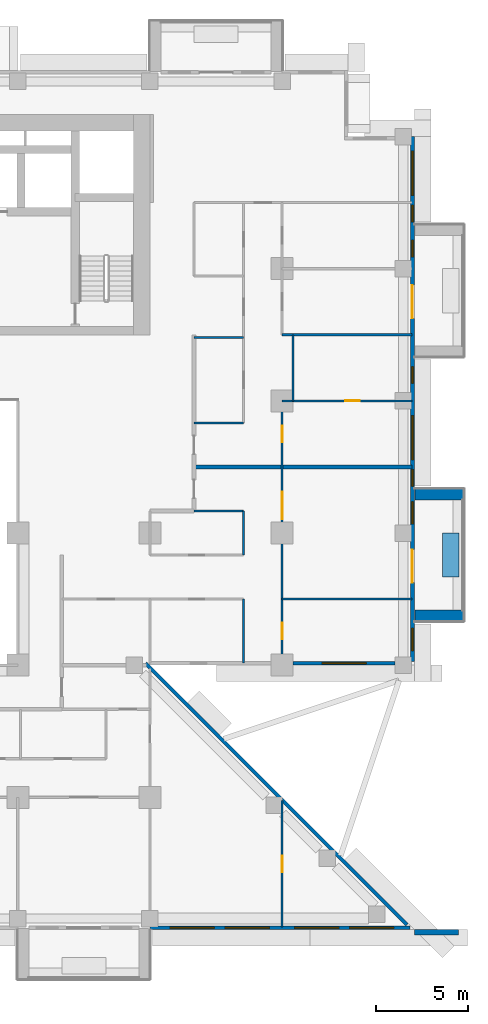
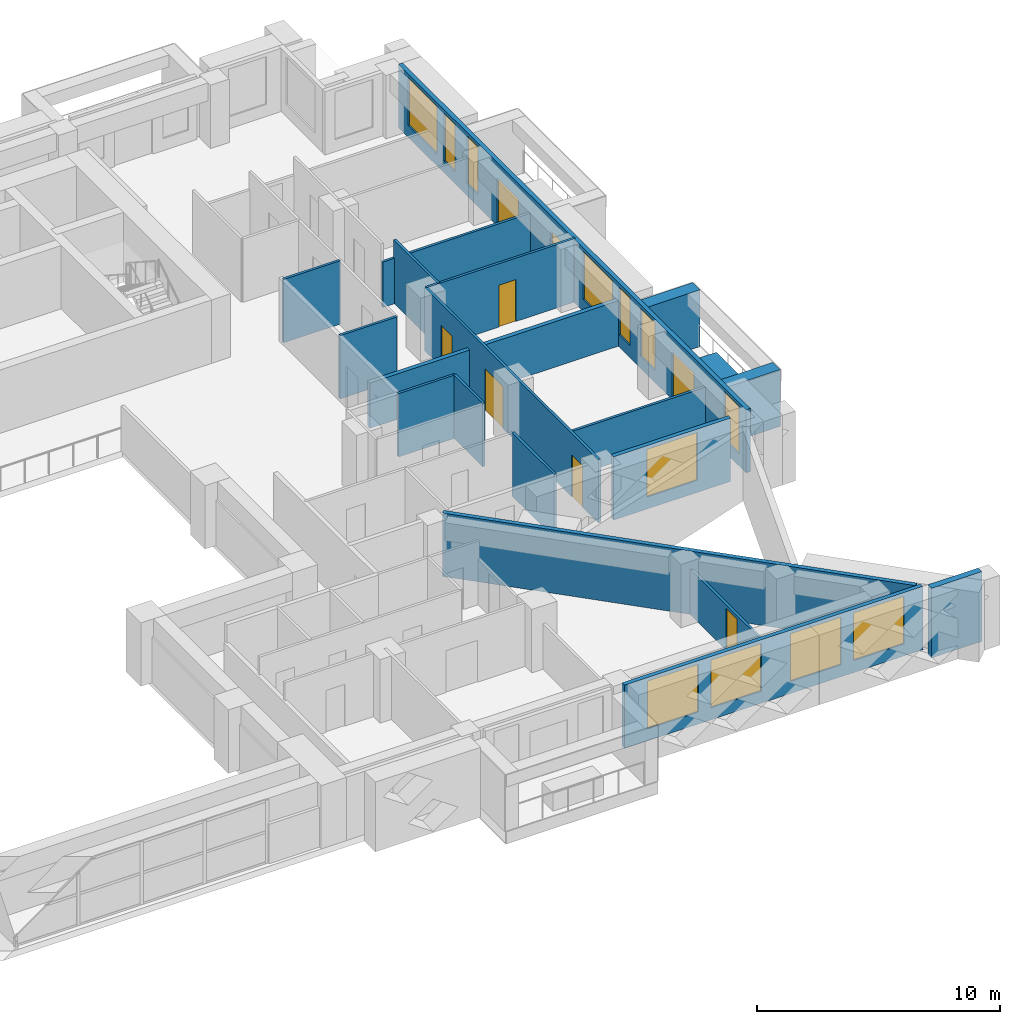
# One storey, part 12 of 17: 20 walls, 13 windows, 7 doors, 20 openings.
"""IFC4 building model written with IfcOpenShell, lengths in metres."""

from ifc_helpers import new_model, si_unit, direction, frame, frame_2d, origin, place, context, subcontext, project, spatial, rectangle, extrude, material, layer, layer_set, type_object, element, fill, save


model = new_model("IFC4")

# Units and contexts
model_context = context("Model", 3, precision=1e-05, world=origin(), true_north=direction((0.0, 1.0)))
body_context = subcontext(model_context, "Body", "Model", "MODEL_VIEW")
ifc_project = project(units=[si_unit("LENGTHUNIT", "METRE"), si_unit("AREAUNIT", "SQUARE_METRE"), si_unit("VOLUMEUNIT", "CUBIC_METRE"), si_unit("PLANEANGLEUNIT", "RADIAN"), si_unit("MASSUNIT", "GRAM", prefix="KILO")], contexts=[model_context])

# Site, building, storey
site_placement = place(None, origin())
site = spatial("IfcSite", under=ifc_project, at=site_placement, CompositionType="ELEMENT")
building_placement = place(site_placement, origin())
building = spatial("IfcBuilding", under=site, at=building_placement, Name="Saffron Iwan Residences", CompositionType="ELEMENT")
storey_placement = place(building_placement, frame((0.0, 0.0, 93.5)))
storey = spatial("IfcBuildingStorey", under=building, at=storey_placement, Name="L24", CompositionType="ELEMENT", Elevation=93.5)

# Walls
ifc_material_1 = material(Name="Concrete C50/60 white painted", Category="concrete")
ifc_layer_1 = layer(ifc_material_1, 0.60009765625)
ifc_layer_set_1 = layer_set([ifc_layer_1], Name="Concrete C50/60 white painted")
wall_type_1 = type_object("IfcWallType", Name="BALCONY FIN 600", PredefinedType="SOLIDWALL", material=ifc_layer_set_1)
for number, where, z_axis, x_axis, name in (
    (1, (86.449951171875, 50.699951171875, 0.0), (0.0, 0.0, 1.0), (1.0, 0.0, 0.0), "Balcony fin L24 F2-0a"),
    (2, (86.449951171875, 57.300048828125, 0.0), (0.0, 0.0, 1.0), (1.0, 0.0, 0.0), "Balcony fin L24 F2-0b"),
):
    element("IfcWall", number, at=place(storey_placement, frame(where, z_axis=z_axis, x_axis=x_axis)), inside=storey, type_object=wall_type_1, Name=name, PredefinedType="SOLIDWALL", context=body_context, shape_type="SweptSolid", body=[
        extrude(rectangle(XDim=2.650146484375, YDim=0.60009765625, at=frame_2d((1.3251953125, 0.0))), origin(), (0.0, 0.0, 1.0), 2.85009765625),
    ])
ifc_material_2 = material(Name="Concrete C35/45 white painted", Category="concrete")
ifc_layer_2 = layer(ifc_material_2, 0.14990234375)
ifc_layer_set_2 = layer_set([ifc_layer_2], Name="Concrete C35/45 white painted")
wall_type_2 = type_object("IfcWallType", Name="BALCONY PLANTER", PredefinedType="SOLIDWALL", material=ifc_layer_set_2)
wall_1_placement = place(storey_placement, frame((88.375, 52.800048828125, 0.0), z_axis=(0.0, 0.0, 1.0), x_axis=(0.0, 1.0, 0.0)))
element("IfcWall", 3, at=wall_1_placement, inside=storey, type_object=wall_type_2, Name="PLANTER L24 F2-0", PredefinedType="SOLIDWALL", context=body_context, shape_type="SweptSolid", body=[
    extrude(rectangle(XDim=2.39990234375, YDim=0.89990234375, at=frame_2d((1.199951171875, 0.0))), origin(), (0.0, 0.0, 1.0), 0.89990234375),
])
ifc_material_3 = material(Name="Concrete C40/50", Category="concrete")
ifc_layer_3 = layer(ifc_material_3, 0.199951171875)
ifc_layer_set_3 = layer_set([ifc_layer_3], Name="Concrete C40/50")
wall_type_3 = type_object("IfcWallType", Name="EXTERNAL WALL 200", PredefinedType="SOLIDWALL", material=ifc_layer_set_3)
wall_2_placement = place(storey_placement, frame((85.995849609375, 33.862548828125, 0.0), z_axis=(0.0, 0.0, 1.0), x_axis=(-0.707100718496, 0.707112843825, 0.0)))
element("IfcWall", 4, at=wall_2_placement, inside=storey, type_object=wall_type_3, Name="External wall L24 F0.0", PredefinedType="SOLIDWALL", context=body_context, shape_type="SweptSolid", body=[
    extrude(rectangle(XDim=20.134765625, YDim=0.199951171875, at=frame_2d((10.0673828125, 0.0))), origin(), (0.0, 0.0, 1.0), 3.179931640625),
])

# Wall, opening, window
wall_3_placement = place(storey_placement, frame((79.800048828125, 48.10009765625, 0.0), z_axis=(0.0, 0.0, 1.0), x_axis=(1.0, 0.0, 0.0)))
wall_3 = element("IfcWall", 5, at=wall_3_placement, inside=storey, type_object=wall_type_3, Name="External wall L24 F1.1", PredefinedType="SOLIDWALL", context=body_context, shape_type="SweptSolid", body=[
    extrude(rectangle(XDim=5.550048828125, YDim=0.199951171875, at=frame_2d((2.77490234375, 0.0))), origin(), (0.0, 0.0, 1.0), 3.179931640625),
])
opening_1_placement = place(wall_3_placement, frame((1.574951171875, 0.0, 0.60009765625)))
opening_1 = element("IfcOpeningElement", 6, at=opening_1_placement, cuts=wall_3, Name="Opening W1", PredefinedType="OPENING", context=body_context, shape_type="SweptSolid", body=[
    extrude(rectangle(XDim=2.39990234375, YDim=2.39990234375, at=frame_2d((1.199951171875, 1.199951171875))), frame((0.0, 0.10986328125, 0.0), z_axis=(0.0, -1.0, 0.0), x_axis=(1.0, 0.0, 0.0)), (0.0, 0.0, 1.0), 0.219970703125),
])
ifc_material_4 = material(Name="Clear glass, laminated double glazed", Category="glass")
window_type_1 = type_object("IfcWindowType", Name="WINDOW 2400 x 2400", PartitioningType="DOUBLE_PANEL_VERTICAL", PredefinedType="WINDOW", material=ifc_material_4)
window_1_placement = place(opening_1_placement, origin())
window_1 = element("IfcWindow", 7, at=window_1_placement, inside=storey, type_object=window_type_1, Name="Window L24 F1.0", OverallHeight=2.39990234375, OverallWidth=2.39990234375, PartitioningType="DOUBLE_PANEL_VERTICAL", PredefinedType="WINDOW", context=body_context, shape_type="SweptSolid", body=[
    extrude(rectangle(XDim=2.39990234375, YDim=2.39990234375, at=frame_2d((1.199951171875, 1.199951171875))), frame((0.0, 0.030029296875, 0.0), z_axis=(0.0, -1.0, 0.0), x_axis=(1.0, 0.0, 0.0)), (0.0, 0.0, 1.0), 0.06005859375),
])
fill(opening_1, window_1)

# Wall, openings, doors, windows
wall_4_placement = place(storey_placement, frame((86.300048828125, 48.199951171875, 0.0), z_axis=(0.0, 0.0, 1.0), x_axis=(0.0, 1.0, 0.0)))
wall_4 = element("IfcWall", 8, at=wall_4_placement, inside=storey, type_object=wall_type_3, Name="External wall L24 F2.0", PredefinedType="SOLIDWALL", context=body_context, shape_type="SweptSolid", body=[
    extrude(rectangle(XDim=28.60009765625, YDim=0.199951171875, at=frame_2d((14.300048828125, 0.0))), origin(), (0.0, 0.0, 1.0), 3.179931640625),
])
opening_2_placement = place(wall_4_placement, frame((4.300048828125, 0.0, 0.0)))
opening_2 = element("IfcOpeningElement", 9, at=opening_2_placement, cuts=wall_4, Name="Opening BD1", PredefinedType="OPENING", context=body_context, shape_type="SweptSolid", body=[
    extrude(rectangle(XDim=1.800048828125, YDim=2.39990234375, at=frame_2d((0.89990234375, 1.199951171875))), frame((0.0, 0.10986328125, 0.0), z_axis=(0.0, -1.0, 0.0), x_axis=(1.0, 0.0, 0.0)), (0.0, 0.0, 1.0), 0.219970703125),
])
opening_3_placement = place(wall_4_placement, frame((18.699951171875, 0.0, 0.0)))
opening_3 = element("IfcOpeningElement", 10, at=opening_3_placement, cuts=wall_4, Name="Opening BD1", PredefinedType="OPENING", context=body_context, shape_type="SweptSolid", body=[
    extrude(rectangle(XDim=1.800048828125, YDim=2.39990234375, at=frame_2d((0.89990234375, 1.199951171875))), frame((0.0, 0.10986328125, 0.0), z_axis=(0.0, -1.0, 0.0), x_axis=(1.0, 0.0, 0.0)), (0.0, 0.0, 1.0), 0.219970703125),
])
opening_4_placement = place(wall_4_placement, frame((0.60009765625, 0.0, 0.60009765625)))
opening_4 = element("IfcOpeningElement", 11, at=opening_4_placement, cuts=wall_4, Name="Opening W3", PredefinedType="OPENING", context=body_context, shape_type="SweptSolid", body=[
    extrude(rectangle(XDim=1.199951171875, YDim=2.39990234375, at=frame_2d((0.60009765625, 1.199951171875))), frame((0.0, 0.10986328125, 0.0), z_axis=(0.0, -1.0, 0.0), x_axis=(1.0, 0.0, 0.0)), (0.0, 0.0, 1.0), 0.219970703125),
])
opening_5_placement = place(wall_4_placement, frame((7.5, 0.0, 0.60009765625)))
opening_5 = element("IfcOpeningElement", 12, at=opening_5_placement, cuts=wall_4, Name="Opening W3", PredefinedType="OPENING", context=body_context, shape_type="SweptSolid", body=[
    extrude(rectangle(XDim=1.199951171875, YDim=2.39990234375, at=frame_2d((0.60009765625, 1.199951171875))), frame((0.0, 0.10986328125, 0.0), z_axis=(0.0, -1.0, 0.0), x_axis=(1.0, 0.0, 0.0)), (0.0, 0.0, 1.0), 0.219970703125),
])
opening_6_placement = place(wall_4_placement, frame((9.550048828125, 0.0, 0.60009765625)))
opening_6 = element("IfcOpeningElement", 13, at=opening_6_placement, cuts=wall_4, Name="Opening W10", PredefinedType="OPENING", context=body_context, shape_type="SweptSolid", body=[
    extrude(rectangle(XDim=0.89990234375, YDim=2.39990234375, at=frame_2d((0.449951171875, 1.199951171875))), frame((0.0, 0.10986328125, 0.0), z_axis=(0.0, -1.0, 0.0), x_axis=(1.0, 0.0, 0.0)), (0.0, 0.0, 1.0), 0.219970703125),
])
opening_7_placement = place(wall_4_placement, frame((11.0, 0.0, 0.60009765625)))
opening_7 = element("IfcOpeningElement", 14, at=opening_7_placement, cuts=wall_4, Name="Opening W1", PredefinedType="OPENING", context=body_context, shape_type="SweptSolid", body=[
    extrude(rectangle(XDim=2.39990234375, YDim=2.39990234375, at=frame_2d((1.199951171875, 1.199951171875))), frame((0.0, 0.10986328125, 0.0), z_axis=(0.0, -1.0, 0.0), x_axis=(1.0, 0.0, 0.0)), (0.0, 0.0, 1.0), 0.219970703125),
])
opening_8_placement = place(wall_4_placement, frame((15.14990234375, 0.0, 1.5)))
opening_8 = element("IfcOpeningElement", 15, at=opening_8_placement, cuts=wall_4, Name="Opening W6", PredefinedType="OPENING", context=body_context, shape_type="SweptSolid", body=[
    extrude(rectangle(XDim=0.89990234375, YDim=0.89990234375, at=frame_2d((0.449951171875, 0.449951171875))), frame((0.0, 0.10986328125, 0.0), z_axis=(0.0, -1.0, 0.0), x_axis=(1.0, 0.0, 0.0)), (0.0, 0.0, 1.0), 0.219970703125),
])
opening_9_placement = place(wall_4_placement, frame((22.050048828125, 0.0, 0.60009765625)))
opening_9 = element("IfcOpeningElement", 16, at=opening_9_placement, cuts=wall_4, Name="Opening W10", PredefinedType="OPENING", context=body_context, shape_type="SweptSolid", body=[
    extrude(rectangle(XDim=0.89990234375, YDim=2.39990234375, at=frame_2d((0.449951171875, 1.199951171875))), frame((0.0, 0.10986328125, 0.0), z_axis=(0.0, -1.0, 0.0), x_axis=(1.0, 0.0, 0.0)), (0.0, 0.0, 1.0), 0.219970703125),
])
opening_10_placement = place(wall_4_placement, frame((23.949951171875, 0.0, 0.60009765625)))
opening_10 = element("IfcOpeningElement", 17, at=opening_10_placement, cuts=wall_4, Name="Opening W10", PredefinedType="OPENING", context=body_context, shape_type="SweptSolid", body=[
    extrude(rectangle(XDim=0.89990234375, YDim=2.39990234375, at=frame_2d((0.449951171875, 1.199951171875))), frame((0.0, 0.10986328125, 0.0), z_axis=(0.0, -1.0, 0.0), x_axis=(1.0, 0.0, 0.0)), (0.0, 0.0, 1.0), 0.219970703125),
])
opening_11_placement = place(wall_4_placement, frame((25.39990234375, 0.0, 0.60009765625)))
opening_11 = element("IfcOpeningElement", 18, at=opening_11_placement, cuts=wall_4, Name="Opening W1", PredefinedType="OPENING", context=body_context, shape_type="SweptSolid", body=[
    extrude(rectangle(XDim=2.39990234375, YDim=2.39990234375, at=frame_2d((1.199951171875, 1.199951171875))), frame((0.0, 0.10986328125, 0.0), z_axis=(0.0, -1.0, 0.0), x_axis=(1.0, 0.0, 0.0)), (0.0, 0.0, 1.0), 0.219970703125),
])
door_type_1 = type_object("IfcDoorType", Name="BALCONY DOOR 1800 x 2400", OperationType="DOUBLE_DOOR_SLIDING", PredefinedType="DOOR", material=ifc_material_4)
door_1_placement = place(opening_2_placement, origin())
door_1 = element("IfcDoor", 19, at=door_1_placement, inside=storey, type_object=door_type_1, Name="Balcony door L24 F2.0", OperationType="DOUBLE_DOOR_SLIDING", OverallHeight=2.39990234375, OverallWidth=1.800048828125, PredefinedType="DOOR", context=body_context, shape_type="SweptSolid", body=[
    extrude(rectangle(XDim=1.800048828125, YDim=2.39990234375, at=frame_2d((0.89990234375, 1.199951171875))), frame((0.0, 0.02490234375, 0.0), z_axis=(0.0, -1.0, 0.0), x_axis=(1.0, 0.0, 0.0)), (0.0, 0.0, 1.0), 0.050048828125),
])
fill(opening_2, door_1)
door_2_placement = place(opening_3_placement, origin())
door_2 = element("IfcDoor", 20, at=door_2_placement, inside=storey, type_object=door_type_1, Name="Balcony door L24 F2.1", OperationType="DOUBLE_DOOR_SLIDING", OverallHeight=2.39990234375, OverallWidth=1.800048828125, PredefinedType="DOOR", context=body_context, shape_type="SweptSolid", body=[
    extrude(rectangle(XDim=1.800048828125, YDim=2.39990234375, at=frame_2d((0.89990234375, 1.199951171875))), frame((0.0, 0.02490234375, 0.0), z_axis=(0.0, -1.0, 0.0), x_axis=(1.0, 0.0, 0.0)), (0.0, 0.0, 1.0), 0.050048828125),
])
fill(opening_3, door_2)
window_type_2 = type_object("IfcWindowType", Name="WINDOW 1200 x 2400", PartitioningType="SINGLE_PANEL", PredefinedType="WINDOW", material=ifc_material_4)
window_2_placement = place(opening_4_placement, origin())
window_2 = element("IfcWindow", 21, at=window_2_placement, inside=storey, type_object=window_type_2, Name="Window L24 F2.2", OverallHeight=2.39990234375, OverallWidth=1.199951171875, PartitioningType="SINGLE_PANEL", PredefinedType="WINDOW", context=body_context, shape_type="SweptSolid", body=[
    extrude(rectangle(XDim=1.199951171875, YDim=2.39990234375, at=frame_2d((0.60009765625, 1.199951171875))), frame((0.0, 0.030029296875, 0.0), z_axis=(0.0, -1.0, 0.0), x_axis=(1.0, 0.0, 0.0)), (0.0, 0.0, 1.0), 0.06005859375),
])
fill(opening_4, window_2)
window_3_placement = place(opening_5_placement, origin())
window_3 = element("IfcWindow", 22, at=window_3_placement, inside=storey, type_object=window_type_2, Name="Window L24 F2.3", OverallHeight=2.39990234375, OverallWidth=1.199951171875, PartitioningType="SINGLE_PANEL", PredefinedType="WINDOW", context=body_context, shape_type="SweptSolid", body=[
    extrude(rectangle(XDim=1.199951171875, YDim=2.39990234375, at=frame_2d((0.60009765625, 1.199951171875))), frame((0.0, 0.030029296875, 0.0), z_axis=(0.0, -1.0, 0.0), x_axis=(1.0, 0.0, 0.0)), (0.0, 0.0, 1.0), 0.06005859375),
])
fill(opening_5, window_3)
window_4_placement = place(opening_7_placement, origin())
window_4 = element("IfcWindow", 23, at=window_4_placement, inside=storey, type_object=window_type_1, Name="Window L24 F2.5", OverallHeight=2.39990234375, OverallWidth=2.39990234375, PartitioningType="DOUBLE_PANEL_VERTICAL", PredefinedType="WINDOW", context=body_context, shape_type="SweptSolid", body=[
    extrude(rectangle(XDim=2.39990234375, YDim=2.39990234375, at=frame_2d((1.199951171875, 1.199951171875))), frame((0.0, 0.030029296875, 0.0), z_axis=(0.0, -1.0, 0.0), x_axis=(1.0, 0.0, 0.0)), (0.0, 0.0, 1.0), 0.06005859375),
])
fill(opening_7, window_4)
window_5_placement = place(opening_11_placement, origin())
window_5 = element("IfcWindow", 24, at=window_5_placement, inside=storey, type_object=window_type_1, Name="Window L24 F2.9", OverallHeight=2.39990234375, OverallWidth=2.39990234375, PartitioningType="DOUBLE_PANEL_VERTICAL", PredefinedType="WINDOW", context=body_context, shape_type="SweptSolid", body=[
    extrude(rectangle(XDim=2.39990234375, YDim=2.39990234375, at=frame_2d((1.199951171875, 1.199951171875))), frame((0.0, 0.030029296875, 0.0), z_axis=(0.0, -1.0, 0.0), x_axis=(1.0, 0.0, 0.0)), (0.0, 0.0, 1.0), 0.06005859375),
])
fill(opening_11, window_5)
window_type_3 = type_object("IfcWindowType", Name="WINDOW 900 x 2400", PartitioningType="SINGLE_PANEL", PredefinedType="WINDOW", material=ifc_material_4)
window_6_placement = place(opening_6_placement, origin())
window_6 = element("IfcWindow", 25, at=window_6_placement, inside=storey, type_object=window_type_3, Name="Window L24 F2.4", OverallHeight=2.39990234375, OverallWidth=0.89990234375, PartitioningType="SINGLE_PANEL", PredefinedType="WINDOW", context=body_context, shape_type="SweptSolid", body=[
    extrude(rectangle(XDim=0.89990234375, YDim=2.39990234375, at=frame_2d((0.449951171875, 1.199951171875))), frame((0.0, 0.030029296875, 0.0), z_axis=(0.0, -1.0, 0.0), x_axis=(1.0, 0.0, 0.0)), (0.0, 0.0, 1.0), 0.06005859375),
])
fill(opening_6, window_6)
window_7_placement = place(opening_9_placement, origin())
window_7 = element("IfcWindow", 26, at=window_7_placement, inside=storey, type_object=window_type_3, Name="Window L24 F2.7", OverallHeight=2.39990234375, OverallWidth=0.89990234375, PartitioningType="SINGLE_PANEL", PredefinedType="WINDOW", context=body_context, shape_type="SweptSolid", body=[
    extrude(rectangle(XDim=0.89990234375, YDim=2.39990234375, at=frame_2d((0.449951171875, 1.199951171875))), frame((0.0, 0.030029296875, 0.0), z_axis=(0.0, -1.0, 0.0), x_axis=(1.0, 0.0, 0.0)), (0.0, 0.0, 1.0), 0.06005859375),
])
fill(opening_9, window_7)
window_8_placement = place(opening_10_placement, origin())
window_8 = element("IfcWindow", 27, at=window_8_placement, inside=storey, type_object=window_type_3, Name="Window L24 F2.8", OverallHeight=2.39990234375, OverallWidth=0.89990234375, PartitioningType="SINGLE_PANEL", PredefinedType="WINDOW", context=body_context, shape_type="SweptSolid", body=[
    extrude(rectangle(XDim=0.89990234375, YDim=2.39990234375, at=frame_2d((0.449951171875, 1.199951171875))), frame((0.0, 0.030029296875, 0.0), z_axis=(0.0, -1.0, 0.0), x_axis=(1.0, 0.0, 0.0)), (0.0, 0.0, 1.0), 0.06005859375),
])
fill(opening_10, window_8)
window_type_4 = type_object("IfcWindowType", Name="WINDOW 900 x 900 BATH", PartitioningType="SINGLE_PANEL", PredefinedType="WINDOW", material=ifc_material_4)
window_9_placement = place(opening_8_placement, origin())
window_9 = element("IfcWindow", 28, at=window_9_placement, inside=storey, type_object=window_type_4, Name="Window L24 F2.6", OverallHeight=0.89990234375, OverallWidth=0.89990234375, PartitioningType="SINGLE_PANEL", PredefinedType="WINDOW", context=body_context, shape_type="SweptSolid", body=[
    extrude(rectangle(XDim=0.89990234375, YDim=0.89990234375, at=frame_2d((0.449951171875, 0.449951171875))), frame((0.0, 0.030029296875, 0.0), z_axis=(0.0, -1.0, 0.0), x_axis=(1.0, 0.0, 0.0)), (0.0, 0.0, 1.0), 0.06005859375),
])
fill(opening_8, window_9)

# Wall, openings, windows
wall_5_placement = place(storey_placement, frame((72.0, 33.699951171875, 0.0), z_axis=(0.0, 0.0, 1.0), x_axis=(1.0, 0.0, 0.0)))
wall_5 = element("IfcWall", 29, at=wall_5_placement, inside=storey, type_object=wall_type_3, Name="External wall L24 F11.5", PredefinedType="SOLIDWALL", context=body_context, shape_type="SweptSolid", body=[
    extrude(rectangle(XDim=14.15869140625, YDim=0.199951171875, at=frame_2d((7.079345703125, 0.0))), origin(), (0.0, 0.0, 1.0), 3.179931640625),
])
opening_12_placement = place(wall_5_placement, frame((1.10009765625, 0.0, 0.60009765625)))
opening_12 = element("IfcOpeningElement", 30, at=opening_12_placement, cuts=wall_5, Name="Opening W1", PredefinedType="OPENING", context=body_context, shape_type="SweptSolid", body=[
    extrude(rectangle(XDim=2.39990234375, YDim=2.39990234375, at=frame_2d((1.199951171875, 1.199951171875))), frame((0.0, 0.10986328125, 0.0), z_axis=(0.0, -1.0, 0.0), x_axis=(1.0, 0.0, 0.0)), (0.0, 0.0, 1.0), 0.219970703125),
])
opening_13_placement = place(wall_5_placement, frame((4.10009765625, 0.0, 0.60009765625)))
opening_13 = element("IfcOpeningElement", 31, at=opening_13_placement, cuts=wall_5, Name="Opening W1", PredefinedType="OPENING", context=body_context, shape_type="SweptSolid", body=[
    extrude(rectangle(XDim=2.39990234375, YDim=2.39990234375, at=frame_2d((1.199951171875, 1.199951171875))), frame((0.0, 0.10986328125, 0.0), z_axis=(0.0, -1.0, 0.0), x_axis=(1.0, 0.0, 0.0)), (0.0, 0.0, 1.0), 0.219970703125),
])
opening_14_placement = place(wall_5_placement, frame((7.88623046875, 0.0, 0.60009765625)))
opening_14 = element("IfcOpeningElement", 32, at=opening_14_placement, cuts=wall_5, Name="Opening W1", PredefinedType="OPENING", context=body_context, shape_type="SweptSolid", body=[
    extrude(rectangle(XDim=2.39990234375, YDim=2.39990234375, at=frame_2d((1.199951171875, 1.199951171875))), frame((0.0, 0.10986328125, 0.0), z_axis=(0.0, -1.0, 0.0), x_axis=(1.0, 0.0, 0.0)), (0.0, 0.0, 1.0), 0.219970703125),
])
opening_15_placement = place(wall_5_placement, frame((10.872314453125, 0.0, 0.60009765625)))
opening_15 = element("IfcOpeningElement", 33, at=opening_15_placement, cuts=wall_5, Name="Opening W1", PredefinedType="OPENING", context=body_context, shape_type="SweptSolid", body=[
    extrude(rectangle(XDim=2.39990234375, YDim=2.39990234375, at=frame_2d((1.199951171875, 1.199951171875))), frame((0.0, 0.10986328125, 0.0), z_axis=(0.0, -1.0, 0.0), x_axis=(1.0, 0.0, 0.0)), (0.0, 0.0, 1.0), 0.219970703125),
])
window_10_placement = place(opening_12_placement, origin())
window_10 = element("IfcWindow", 34, at=window_10_placement, inside=storey, type_object=window_type_1, Name="Window L24 F11.0", OverallHeight=2.39990234375, OverallWidth=2.39990234375, PartitioningType="DOUBLE_PANEL_VERTICAL", PredefinedType="WINDOW", context=body_context, shape_type="SweptSolid", body=[
    extrude(rectangle(XDim=2.39990234375, YDim=2.39990234375, at=frame_2d((1.199951171875, 1.199951171875))), frame((0.0, 0.030029296875, 0.0), z_axis=(0.0, -1.0, 0.0), x_axis=(1.0, 0.0, 0.0)), (0.0, 0.0, 1.0), 0.06005859375),
])
fill(opening_12, window_10)
window_11_placement = place(opening_13_placement, origin())
window_11 = element("IfcWindow", 35, at=window_11_placement, inside=storey, type_object=window_type_1, Name="Window L24 F11.1", OverallHeight=2.39990234375, OverallWidth=2.39990234375, PartitioningType="DOUBLE_PANEL_VERTICAL", PredefinedType="WINDOW", context=body_context, shape_type="SweptSolid", body=[
    extrude(rectangle(XDim=2.39990234375, YDim=2.39990234375, at=frame_2d((1.199951171875, 1.199951171875))), frame((0.0, 0.030029296875, 0.0), z_axis=(0.0, -1.0, 0.0), x_axis=(1.0, 0.0, 0.0)), (0.0, 0.0, 1.0), 0.06005859375),
])
fill(opening_13, window_11)
window_12_placement = place(opening_14_placement, origin())
window_12 = element("IfcWindow", 36, at=window_12_placement, inside=storey, type_object=window_type_1, Name="Window L24 F11.2", OverallHeight=2.39990234375, OverallWidth=2.39990234375, PartitioningType="DOUBLE_PANEL_VERTICAL", PredefinedType="WINDOW", context=body_context, shape_type="SweptSolid", body=[
    extrude(rectangle(XDim=2.39990234375, YDim=2.39990234375, at=frame_2d((1.199951171875, 1.199951171875))), frame((0.0, 0.030029296875, 0.0), z_axis=(0.0, -1.0, 0.0), x_axis=(1.0, 0.0, 0.0)), (0.0, 0.0, 1.0), 0.06005859375),
])
fill(opening_14, window_12)
window_13_placement = place(opening_15_placement, origin())
window_13 = element("IfcWindow", 37, at=window_13_placement, inside=storey, type_object=window_type_1, Name="Window L24 F11.3", OverallHeight=2.39990234375, OverallWidth=2.39990234375, PartitioningType="DOUBLE_PANEL_VERTICAL", PredefinedType="WINDOW", context=body_context, shape_type="SweptSolid", body=[
    extrude(rectangle(XDim=2.39990234375, YDim=2.39990234375, at=frame_2d((1.199951171875, 1.199951171875))), frame((0.0, 0.030029296875, 0.0), z_axis=(0.0, -1.0, 0.0), x_axis=(1.0, 0.0, 0.0)), (0.0, 0.0, 1.0), 0.06005859375),
])
fill(opening_15, window_13)

# Walls
ifc_material_5 = material(Name="Fire-rated gypsum board wall")
ifc_layer_4 = layer(ifc_material_5, 0.199951171875)
ifc_layer_set_4 = layer_set([ifc_layer_4], Name="Fire-rated gypsum board wall")
wall_type_4 = type_object("IfcWallType", Name="Flat demising wall 200", PredefinedType="SOLIDWALL", material=ifc_layer_set_4)
wall_6_placement = place(storey_placement, frame((74.39990234375, 58.800048828125, 0.0), z_axis=(0.0, 0.0, 1.0), x_axis=(1.0, 0.0, 0.0)))
element("IfcWall", 38, at=wall_6_placement, inside=storey, type_object=wall_type_4, Name="W-L24-DEMISE-h58.8-74.4", PredefinedType="SOLIDWALL", context=body_context, shape_type="SweptSolid", body=[
    extrude(rectangle(XDim=11.875, YDim=0.199951171875, at=frame_2d((5.9375, 0.0))), origin(), (0.0, 0.0, 1.0), 2.280029296875),
])
ifc_material_6 = material(Name="Gypsum board partition")
ifc_layer_5 = layer(ifc_material_6, 0.1201171875)
ifc_layer_set_5 = layer_set([ifc_layer_5], Name="Gypsum board partition")
wall_type_5 = type_object("IfcWallType", Name="Flat partition 120", PredefinedType="PARTITIONING", material=ifc_layer_set_5)
wall_7_placement = place(storey_placement, frame((79.199951171875, 51.60009765625, 0.0), z_axis=(0.0, 0.0, 1.0), x_axis=(1.0, 0.0, 0.0)))
element("IfcWall", 39, at=wall_7_placement, inside=storey, type_object=wall_type_5, Name="W-L24-PART-h51.6-79.2", PredefinedType="PARTITIONING", context=body_context, shape_type="SweptSolid", body=[
    extrude(rectangle(XDim=7.074951171875, YDim=0.1201171875, at=frame_2d((3.53759765625, 0.0))), origin(), (0.0, 0.0, 1.0), 2.280029296875),
])
for number, where, z_axis, x_axis, name in (
    (40, (74.39990234375, 56.39990234375, 0.0), (0.0, 0.0, 1.0), (1.0, 0.0, 0.0), "W-L24-PART-h56.4-74.4"),
    (41, (74.39990234375, 61.199951171875, 0.0), (0.0, 0.0, 1.0), (1.0, 0.0, 0.0), "W-L24-PART-h61.2-74.4"),
):
    element("IfcWall", number, at=place(storey_placement, frame(where, z_axis=z_axis, x_axis=x_axis)), inside=storey, type_object=wall_type_5, Name=name, PredefinedType="PARTITIONING", context=body_context, shape_type="SweptSolid", body=[
        extrude(rectangle(XDim=2.7001953125, YDim=0.1201171875, at=frame_2d((1.35009765625, 0.0))), origin(), (0.0, 0.0, 1.0), 3.179931640625),
    ])

# Wall, opening, door
wall_8_placement = place(storey_placement, frame((79.199951171875, 62.39990234375, 0.0), z_axis=(0.0, 0.0, 1.0), x_axis=(1.0, 0.0, 0.0)))
wall_8 = element("IfcWall", 42, at=wall_8_placement, inside=storey, type_object=wall_type_5, Name="W-L24-PART-h62.4-79.2", PredefinedType="PARTITIONING", context=body_context, shape_type="SweptSolid", body=[
    extrude(rectangle(XDim=7.074951171875, YDim=0.1201171875, at=frame_2d((3.53759765625, 0.0))), origin(), (0.0, 0.0, 1.0), 3.179931640625),
])
opening_16_placement = place(wall_8_placement, frame((3.4375, 0.0, 0.0)))
opening_16 = element("IfcOpeningElement", 43, at=opening_16_placement, cuts=wall_8, Name="Opening FD3", PredefinedType="OPENING", context=body_context, shape_type="SweptSolid", body=[
    extrude(rectangle(XDim=0.800048828125, YDim=2.10009765625, at=frame_2d((0.39990234375, 1.050048828125))), frame((0.0, 0.070068359375, 0.0), z_axis=(0.0, -1.0, 0.0), x_axis=(1.0, 0.0, 0.0)), (0.0, 0.0, 1.0), 0.14013671875),
])
ifc_material_7 = material(Name="Timber door", Category="wood")
door_type_2 = type_object("IfcDoorType", Name="Bathroom door 800", OperationType="NOTDEFINED", PredefinedType="DOOR", material=ifc_material_7)
door_3_placement = place(opening_16_placement, origin())
door_3 = element("IfcDoor", 44, at=door_3_placement, inside=storey, type_object=door_type_2, Name="Door L24-037", OperationType="SINGLE_SWING_RIGHT", OverallHeight=2.10009765625, OverallWidth=0.800048828125, PredefinedType="DOOR", context=body_context, shape_type="SweptSolid", body=[
    extrude(rectangle(XDim=0.800048828125, YDim=2.10009765625, at=frame_2d((0.39990234375, 1.050048828125))), frame((0.0, 0.02490234375, 0.0), z_axis=(0.0, -1.0, 0.0), x_axis=(1.0, 0.0, 0.0)), (0.0, 0.0, 1.0), 0.050048828125),
])
fill(opening_16, door_3)

# Walls
wall_9_placement = place(storey_placement, frame((74.39990234375, 65.85009765625, 0.0), z_axis=(0.0, 0.0, 1.0), x_axis=(1.0, 0.0, 0.0)))
element("IfcWall", 45, at=wall_9_placement, inside=storey, type_object=wall_type_5, Name="W-L24-PART-h65.85-74.4", PredefinedType="PARTITIONING", context=body_context, shape_type="SweptSolid", body=[
    extrude(rectangle(XDim=2.7001953125, YDim=0.1201171875, at=frame_2d((1.35009765625, 0.0))), origin(), (0.0, 0.0, 1.0), 3.179931640625),
])
wall_10_placement = place(storey_placement, frame((79.199951171875, 66.0, 0.0), z_axis=(0.0, 0.0, 1.0), x_axis=(1.0, 0.0, 0.0)))
element("IfcWall", 46, at=wall_10_placement, inside=storey, type_object=wall_type_5, Name="W-L24-PART-h66-79.2", PredefinedType="PARTITIONING", context=body_context, shape_type="SweptSolid", body=[
    extrude(rectangle(XDim=7.074951171875, YDim=0.1201171875, at=frame_2d((3.53759765625, 0.0))), origin(), (0.0, 0.0, 1.0), 2.280029296875),
])
wall_11_placement = place(storey_placement, frame((77.10009765625, 48.125, 0.0), z_axis=(0.0, 0.0, 1.0), x_axis=(0.0, 1.0, 0.0)))
element("IfcWall", 47, at=wall_11_placement, inside=storey, type_object=wall_type_5, Name="W-L24-PART-v77.1-48.125", PredefinedType="PARTITIONING", context=body_context, shape_type="SweptSolid", body=[
    extrude(rectangle(XDim=3.47509765625, YDim=0.1201171875, at=frame_2d((1.737548828125, 0.0))), origin(), (0.0, 0.0, 1.0), 3.179931640625),
])
wall_12_placement = place(storey_placement, frame((77.10009765625, 54.0, 0.0), z_axis=(0.0, 0.0, 1.0), x_axis=(0.0, 1.0, 0.0)))
element("IfcWall", 48, at=wall_12_placement, inside=storey, type_object=wall_type_5, Name="W-L24-PART-v77.1-54", PredefinedType="PARTITIONING", context=body_context, shape_type="SweptSolid", body=[
    extrude(rectangle(XDim=2.39990234375, YDim=0.1201171875, at=frame_2d((1.199951171875, 0.0))), origin(), (0.0, 0.0, 1.0), 3.179931640625),
])

# Wall, opening, door
wall_13_placement = place(storey_placement, frame((79.199951171875, 33.72509765625, 0.0), z_axis=(0.0, 0.0, 1.0), x_axis=(0.0, 1.0, 0.0)))
wall_13 = element("IfcWall", 49, at=wall_13_placement, inside=storey, type_object=wall_type_5, Name="W-L24-PART-v79.2-33.725", PredefinedType="PARTITIONING", context=body_context, shape_type="SweptSolid", body=[
    extrude(rectangle(XDim=6.89794921875, YDim=0.1201171875, at=frame_2d((3.448974609375, 0.0))), origin(), (0.0, 0.0, 1.0), 2.280029296875),
])
opening_17_placement = place(wall_13_placement, frame((2.9990234375, 0.0, 0.0)))
opening_17 = element("IfcOpeningElement", 50, at=opening_17_placement, cuts=wall_13, Name="Opening FD2", PredefinedType="OPENING", context=body_context, shape_type="SweptSolid", body=[
    extrude(rectangle(XDim=0.89990234375, YDim=2.10009765625, at=frame_2d((0.449951171875, 1.050048828125))), frame((0.0, 0.070068359375, 0.0), z_axis=(0.0, -1.0, 0.0), x_axis=(1.0, 0.0, 0.0)), (0.0, 0.0, 1.0), 0.14013671875),
])
door_type_3 = type_object("IfcDoorType", Name="Flat door 900", OperationType="NOTDEFINED", PredefinedType="DOOR", material=ifc_material_7)
door_4_placement = place(opening_17_placement, origin())
door_4 = element("IfcDoor", 51, at=door_4_placement, inside=storey, type_object=door_type_3, Name="Door L24-052", OperationType="SINGLE_SWING_RIGHT", OverallHeight=2.10009765625, OverallWidth=0.89990234375, PredefinedType="DOOR", context=body_context, shape_type="SweptSolid", body=[
    extrude(rectangle(XDim=0.89990234375, YDim=2.10009765625, at=frame_2d((0.449951171875, 1.050048828125))), frame((0.0, 0.02490234375, 0.0), z_axis=(0.0, -1.0, 0.0), x_axis=(1.0, 0.0, 0.0)), (0.0, 0.0, 1.0), 0.050048828125),
])
fill(opening_17, door_4)

# Wall, openings, doors
wall_14_placement = place(storey_placement, frame((79.199951171875, 48.125, 0.0), z_axis=(0.0, 0.0, 1.0), x_axis=(0.0, 1.0, 0.0)))
wall_14 = element("IfcWall", 52, at=wall_14_placement, inside=storey, type_object=wall_type_5, Name="W-L24-PART-v79.2-48.125", PredefinedType="PARTITIONING", context=body_context, shape_type="SweptSolid", body=[
    extrude(rectangle(XDim=14.27490234375, YDim=0.1201171875, at=frame_2d((7.137451171875, 0.0))), origin(), (0.0, 0.0, 1.0), 3.179931640625),
])
opening_18_placement = place(wall_14_placement, frame((1.28759765625, 0.0, 0.0)))
opening_18 = element("IfcOpeningElement", 53, at=opening_18_placement, cuts=wall_14, Name="Opening FD2", PredefinedType="OPENING", context=body_context, shape_type="SweptSolid", body=[
    extrude(rectangle(XDim=0.89990234375, YDim=2.10009765625, at=frame_2d((0.449951171875, 1.050048828125))), frame((0.0, 0.070068359375, 0.0), z_axis=(0.0, -1.0, 0.0), x_axis=(1.0, 0.0, 0.0)), (0.0, 0.0, 1.0), 0.14013671875),
])
opening_19_placement = place(wall_14_placement, frame((7.824951171875, 0.0, 0.0)))
opening_19 = element("IfcOpeningElement", 54, at=opening_19_placement, cuts=wall_14, Name="Opening FD4", PredefinedType="OPENING", context=body_context, shape_type="SweptSolid", body=[
    extrude(rectangle(XDim=1.5, YDim=2.10009765625, at=frame_2d((0.75, 1.050048828125))), frame((0.0, 0.070068359375, 0.0), z_axis=(0.0, -1.0, 0.0), x_axis=(1.0, 0.0, 0.0)), (0.0, 0.0, 1.0), 0.14013671875),
])
opening_20_placement = place(wall_14_placement, frame((12.02490234375, 0.0, 0.0)))
opening_20 = element("IfcOpeningElement", 55, at=opening_20_placement, cuts=wall_14, Name="Opening FD2", PredefinedType="OPENING", context=body_context, shape_type="SweptSolid", body=[
    extrude(rectangle(XDim=0.89990234375, YDim=2.10009765625, at=frame_2d((0.449951171875, 1.050048828125))), frame((0.0, 0.070068359375, 0.0), z_axis=(0.0, -1.0, 0.0), x_axis=(1.0, 0.0, 0.0)), (0.0, 0.0, 1.0), 0.14013671875),
])
door_type_4 = type_object("IfcDoorType", Name="Double door 1500", OperationType="NOTDEFINED", PredefinedType="DOOR", material=ifc_material_7)
door_5_placement = place(opening_19_placement, origin())
door_5 = element("IfcDoor", 56, at=door_5_placement, inside=storey, type_object=door_type_4, Name="Door L24-022", OperationType="SINGLE_SWING_LEFT", OverallHeight=2.10009765625, OverallWidth=1.5, PredefinedType="DOOR", context=body_context, shape_type="SweptSolid", body=[
    extrude(rectangle(XDim=1.5, YDim=2.10009765625, at=frame_2d((0.75, 1.050048828125))), frame((0.0, 0.02490234375, 0.0), z_axis=(0.0, -1.0, 0.0), x_axis=(1.0, 0.0, 0.0)), (0.0, 0.0, 1.0), 0.050048828125),
])
fill(opening_19, door_5)
door_6_placement = place(opening_18_placement, origin())
door_6 = element("IfcDoor", 57, at=door_6_placement, inside=storey, type_object=door_type_3, Name="Door L24-021", OperationType="SINGLE_SWING_LEFT", OverallHeight=2.10009765625, OverallWidth=0.89990234375, PredefinedType="DOOR", context=body_context, shape_type="SweptSolid", body=[
    extrude(rectangle(XDim=0.89990234375, YDim=2.10009765625, at=frame_2d((0.449951171875, 1.050048828125))), frame((0.0, 0.02490234375, 0.0), z_axis=(0.0, -1.0, 0.0), x_axis=(1.0, 0.0, 0.0)), (0.0, 0.0, 1.0), 0.050048828125),
])
fill(opening_18, door_6)
door_7_placement = place(opening_20_placement, origin())
door_7 = element("IfcDoor", 58, at=door_7_placement, inside=storey, type_object=door_type_3, Name="Door L24-036", OperationType="SINGLE_SWING_LEFT", OverallHeight=2.10009765625, OverallWidth=0.89990234375, PredefinedType="DOOR", context=body_context, shape_type="SweptSolid", body=[
    extrude(rectangle(XDim=0.89990234375, YDim=2.10009765625, at=frame_2d((0.449951171875, 1.050048828125))), frame((0.0, 0.02490234375, 0.0), z_axis=(0.0, -1.0, 0.0), x_axis=(1.0, 0.0, 0.0)), (0.0, 0.0, 1.0), 0.050048828125),
])
fill(opening_20, door_7)

# Walls
wall_15_placement = place(storey_placement, frame((79.800048828125, 62.39990234375, 0.0), z_axis=(0.0, 0.0, 1.0), x_axis=(0.0, 1.0, 0.0)))
element("IfcWall", 59, at=wall_15_placement, inside=storey, type_object=wall_type_5, Name="W-L24-PART-v79.8-62.4", PredefinedType="PARTITIONING", context=body_context, shape_type="SweptSolid", body=[
    extrude(rectangle(XDim=3.60009765625, YDim=0.1201171875, at=frame_2d((1.800048828125, 0.0))), origin(), (0.0, 0.0, 1.0), 3.179931640625),
])
ifc_layer_6 = layer(ifc_material_1, 0.300048828125)
ifc_layer_set_6 = layer_set([ifc_layer_6], Name="Concrete C50/60 white painted")
wall_type_6 = type_object("IfcWallType", Name="PROW BLADE 300", PredefinedType="SOLIDWALL", material=ifc_layer_set_6)
wall_16_placement = place(storey_placement, frame((86.39990234375, 33.449951171875, -0.320068359375), z_axis=(0.0, 0.0, 1.0), x_axis=(1.0, 0.0, 0.0)))
element("IfcWall", 60, at=wall_16_placement, inside=storey, type_object=wall_type_6, Name="Prow blade L24", PredefinedType="SOLIDWALL", context=body_context, shape_type="SweptSolid", body=[
    extrude(rectangle(XDim=2.400146484375, YDim=0.300048828125, at=frame_2d((1.2001953125, 0.0))), origin(), (0.0, 0.0, 1.0), 3.5),
])

save(model, "model.ifc")
